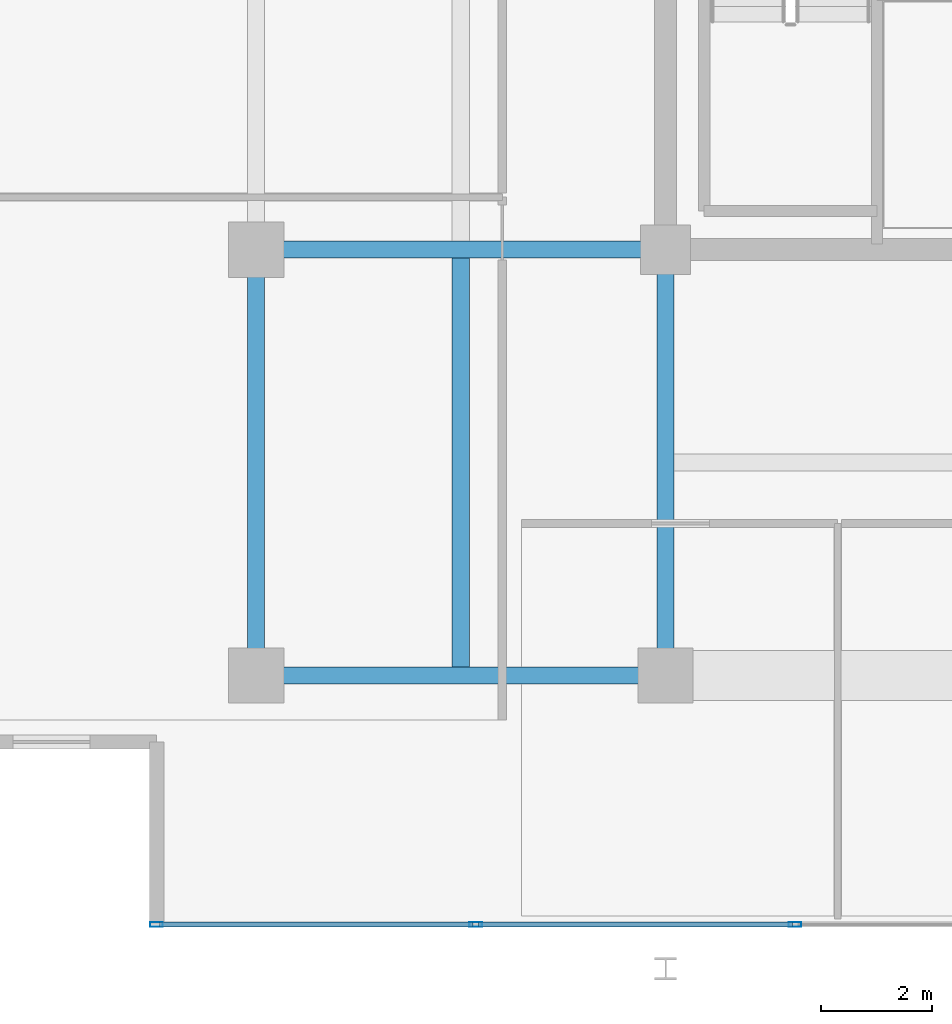
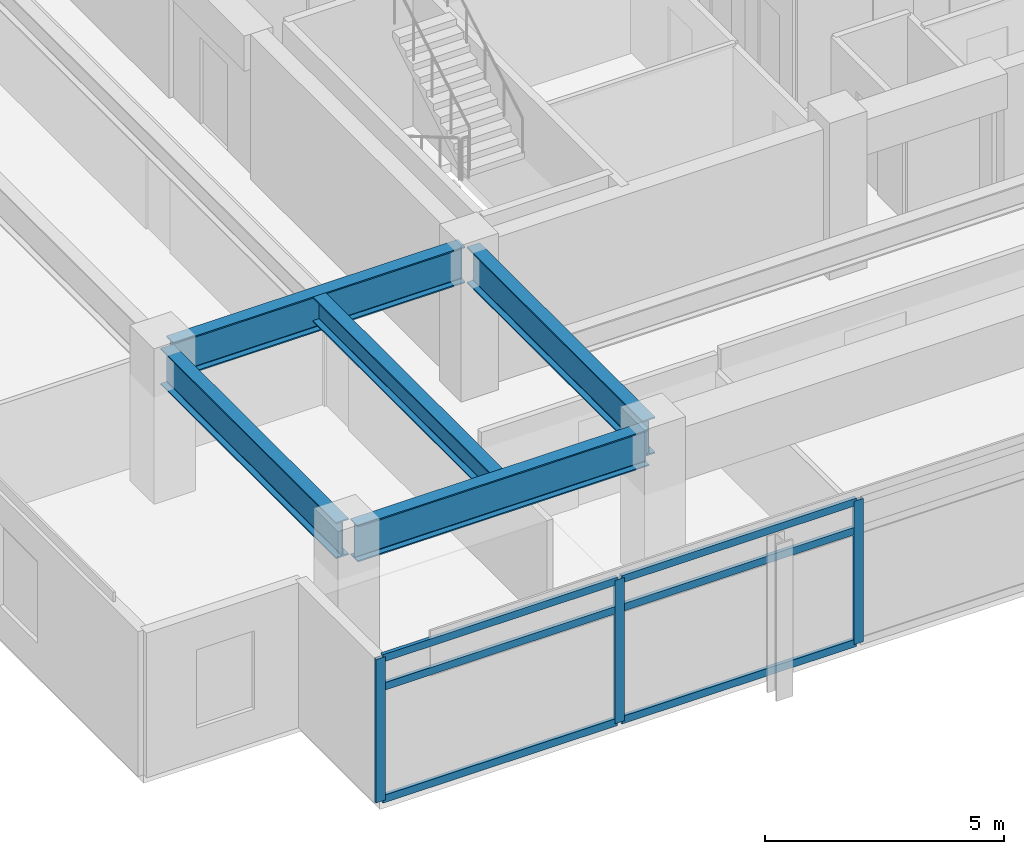
# One storey, part 2 of 18: 9 members, 5 beams, 1 element without a shape of its own.
"""IFC4 building model written with IfcOpenShell, lengths in metres."""

import ifcopenshell
import ifcopenshell.guid

model = None  # the IFC model being written
_history = None  # IfcOwnerHistory: only IFC2X3 demands one
_inside = {}  # id of a spatial element -> (the spatial element, [elements in it])
_under = {}  # id of a project, library or spatial element -> (it, [spatial elements below it])
_declared = {}  # id of a project -> (the project, [libraries it declares])
_typed = {}  # id of a type object -> (the type object, [elements of that type])
_made_of = {}  # id of a material, layer set ... -> (it, [elements and type objects made of it])


def new_model(schema):
    """Start an empty IFC model of exactly this schema.

    Asked for "IFC4X3", IfcOpenShell would pick the latest addendum, in which some entities
    have other attributes; the version numbers below select the first issue.
    IFC2X3 requires an IfcOwnerHistory on every rooted entity: one is made here for all.
    """
    global model, _history
    if schema == "IFC4X3":
        model = ifcopenshell.file(schema_version=(4, 3, 0, 0))
    else:
        model = ifcopenshell.file(schema=schema)
    _inside.clear()
    _under.clear()
    _declared.clear()
    _typed.clear()
    _made_of.clear()
    _history = None
    if model.schema == "IFC2X3":
        org = make("IfcOrganization", Name="unknown")
        user = make(
            "IfcPersonAndOrganization",
            ThePerson=make("IfcPerson", FamilyName="unknown"),
            TheOrganization=org,
        )
        app = make(
            "IfcApplication",
            ApplicationDeveloper=org,
            Version="unknown",
            ApplicationFullName="unknown",
            ApplicationIdentifier="unknown",
        )
        _history = make(
            "IfcOwnerHistory",
            OwningUser=user,
            OwningApplication=app,
            ChangeAction="ADDED",
            CreationDate=0,
        )
    return model


def make(cls, **values):
    """One entity of the class cls with the attributes given. An attribute that is None is left unset."""
    return model.create_entity(
        cls, **{name: value for name, value in values.items() if value is not None}
    )


def rooted(cls, **values):
    """An entity with a GlobalId (a new one), such as an element, a storey or a relation."""
    return make(cls, GlobalId=ifcopenshell.guid.new(), OwnerHistory=_history, **values)


def si_unit(unit_type, name, prefix=None):
    """IfcSIUnit, for example si_unit("LENGTHUNIT", "METRE", prefix="MILLI")."""
    return make("IfcSIUnit", UnitType=unit_type, Prefix=prefix, Name=name)


def assignment(units):
    """IfcUnitAssignment: the units of a project."""
    return None if units is None else make("IfcUnitAssignment", Units=units)


def point(xyz):
    """IfcCartesianPoint."""
    return None if xyz is None else make("IfcCartesianPoint", Coordinates=xyz)


def direction(xyz):
    """IfcDirection."""
    return None if xyz is None else make("IfcDirection", DirectionRatios=xyz)


def frame(location, z_axis=None, x_axis=None):
    """IfcAxis2Placement3D, a coordinate frame: its origin and axes. An axis left out is left unset."""
    return make(
        "IfcAxis2Placement3D",
        Location=point(location),
        Axis=direction(z_axis),
        RefDirection=direction(x_axis),
    )


def frame_2d(location, x_axis=None):
    """IfcAxis2Placement2D, a coordinate frame in the plane: its origin and x axis."""
    return make(
        "IfcAxis2Placement2D", Location=point(location), RefDirection=direction(x_axis)
    )


def origin():
    """The frame at (0, 0, 0) with its axes left unset."""
    return frame((0.0, 0.0, 0.0))


def origin_2d():
    """The frame at (0, 0) in the plane with its x axis left unset."""
    return frame_2d((0.0, 0.0))


def place(relative_to, where):
    """IfcLocalPlacement: puts the frame where relative to a parent placement (None: the world)."""
    return make(
        "IfcLocalPlacement", PlacementRelTo=relative_to, RelativePlacement=where
    )


def context(
    kind, dimensions, precision=None, world=None, true_north=None, identifier=None
):
    """IfcGeometricRepresentationContext, for example the 3D "Model" context."""
    return make(
        "IfcGeometricRepresentationContext",
        ContextIdentifier=identifier,
        ContextType=kind,
        CoordinateSpaceDimension=dimensions,
        Precision=precision,
        WorldCoordinateSystem=world,
        TrueNorth=true_north,
    )


def subcontext(parent, identifier, kind, view, scale=None):
    """IfcGeometricRepresentationSubContext, for example "Body" below "Model"."""
    return make(
        "IfcGeometricRepresentationSubContext",
        ContextIdentifier=identifier,
        ContextType=kind,
        ParentContext=parent,
        TargetScale=scale,
        TargetView=view,
    )


def project(units=None, contexts=None):
    """IfcProject with its units and contexts."""
    return rooted(
        "IfcProject",
        Name="project",
        RepresentationContexts=contexts,
        UnitsInContext=assignment(units),
    )


def spatial(cls, under=None, at=None, **own):
    """A site, building, storey or space (cls), placed at a placement, below another one or the project."""
    s = rooted(cls, ObjectPlacement=at, **own)
    if under is not None:
        _under.setdefault(under.id(), (under, []))[1].append(s)
    return s


def profile(cls, at=None, kind="AREA", **sizes):
    """A parametric profile (cls). Its sizes go by their IFC names, for example OverallWidth=200.0."""
    return make(cls, ProfileType=kind, Position=at, **sizes)


def hollow_rectangle(**sizes):
    """IfcRectangleHollowProfileDef."""
    return profile("IfcRectangleHollowProfileDef", **sizes)


def i_section(**sizes):
    """IfcIShapeProfileDef."""
    return profile("IfcIShapeProfileDef", **sizes)


def extrude(swept, where, along, depth):
    """IfcExtrudedAreaSolid: the profile swept, set in the frame where, extruded along a direction by depth."""
    return make(
        "IfcExtrudedAreaSolid",
        SweptArea=swept,
        Position=where,
        ExtrudedDirection=direction(along),
        Depth=depth,
    )


def shape(context_of_items, identifier, shape_type, items):
    """IfcShapeRepresentation: the items that make up one representation, for example the "Body"."""
    return make(
        "IfcShapeRepresentation",
        ContextOfItems=context_of_items,
        RepresentationIdentifier=identifier,
        RepresentationType=shape_type,
        Items=items,
    )


def material(Name=None, Category=None):
    """IfcMaterial."""
    return make("IfcMaterial", Name=Name, Category=Category)


def material_profile(
    of_material, cross_section, Name=None, Category=None, Priority=None
):
    """IfcMaterialProfile: a cross section and its material."""
    return make(
        "IfcMaterialProfile",
        Name=Name,
        Material=of_material,
        Profile=cross_section,
        Priority=Priority,
        Category=Category,
    )


def profile_set(profiles, Name=None, composite=None):
    """IfcMaterialProfileSet."""
    return make(
        "IfcMaterialProfileSet",
        Name=Name,
        MaterialProfiles=profiles,
        CompositeProfile=composite,
    )


def made_of(thing, what):
    """Note that an element or type object is made of a material, layer set ...; save() writes the relation."""
    if what is not None:
        _made_of.setdefault(what.id(), (what, []))[1].append(thing)
    return thing


def type_object(cls, material=None, **own):
    """A type object (cls), such as IfcWallType, which elements share."""
    return made_of(rooted(cls, **own), material)


def element(
    cls,
    number,
    at=None,
    inside=None,
    cuts=None,
    type_object=None,
    material=None,
    context=None,
    identifier="Body",
    shape_type=None,
    held_by="IfcProductDefinitionShape",
    body=None,
    shapes=None,
    **own,
):
    """One element of the class cls, such as IfcWall. Its Tag is "e" and its number.

    at: its placement. inside: the storey or other place that contains it. cuts: it is an
    opening in that element (IfcRelVoidsElement). A single representation is given by context,
    identifier, shape_type and body (its items); several are given by shapes. held_by: the class
    of the entity that holds the representations. save() writes the other relations.
    """
    e = rooted(cls, Tag="e%d" % number, ObjectPlacement=at, **own)
    if body is not None:
        shapes = [shape(context, identifier, shape_type, body)]
    if shapes is not None:
        e.Representation = make(held_by, Representations=shapes)
    if inside is not None:
        _inside.setdefault(inside.id(), (inside, []))[1].append(e)
    if cuts is not None:
        rooted(
            "IfcRelVoidsElement", RelatingBuildingElement=cuts, RelatedOpeningElement=e
        )
    if type_object is not None:
        _typed.setdefault(type_object.id(), (type_object, []))[1].append(e)
    return made_of(e, material)


def aggregate(whole, parts):
    """IfcRelAggregates: a whole, such as a stair, and the parts it consists of."""
    return rooted("IfcRelAggregates", RelatingObject=whole, RelatedObjects=parts)


def save(model, path):
    """Write the relations noted so far, then the file.

    IfcRelAggregates (storeys below a building ...), IfcRelContainedInSpatialStructure (elements
    in a storey), IfcRelDefinesByType, IfcRelAssociatesMaterial and IfcRelDeclares: one each for
    every whole, place, type object, material and project.
    """
    for whole, parts in _under.values():
        aggregate(whole, parts)
    for where, things in _inside.values():
        rooted(
            "IfcRelContainedInSpatialStructure",
            RelatedElements=things,
            RelatingStructure=where,
        )
    for kind, things in _typed.values():
        rooted("IfcRelDefinesByType", RelatedObjects=things, RelatingType=kind)
    for what, things in _made_of.values():
        rooted("IfcRelAssociatesMaterial", RelatedObjects=things, RelatingMaterial=what)
    for by, libraries in _declared.values():
        rooted("IfcRelDeclares", RelatingContext=by, RelatedDefinitions=libraries)
    model.write(path)


model = new_model("IFC4")

# Units and contexts
model_context = context("Model", 3, precision=1e-05, world=origin(), true_north=direction((0.0, 1.0)))
body_context = subcontext(model_context, "Body", "Model", "MODEL_VIEW")
ifc_project = project(units=[si_unit("LENGTHUNIT", "METRE"), si_unit("AREAUNIT", "SQUARE_METRE"), si_unit("VOLUMEUNIT", "CUBIC_METRE"), si_unit("PLANEANGLEUNIT", "RADIAN"), si_unit("MASSUNIT", "GRAM", prefix="KILO")], contexts=[model_context])

# Site, building, storey
site_placement = place(None, origin())
site = spatial("IfcSite", under=ifc_project, at=site_placement, CompositionType="ELEMENT")
building_placement = place(site_placement, origin())
building = spatial("IfcBuilding", under=site, at=building_placement, Name="Kovane Verandah Tower", CompositionType="ELEMENT")
storey_placement = place(building_placement, frame((0.0, 0.0, 338.800048828125)))
storey = spatial("IfcBuildingStorey", under=building, at=storey_placement, Name="L79", CompositionType="ELEMENT", Elevation=338.800048828125)

# Beams
ifc_material_1 = material(Name="Steel S460", Category="steel")
ifc_material_profile_1 = material_profile(ifc_material_1, i_section(OverallWidth=0.311279296875, OverallDepth=0.6357421875, WebThickness=0.018310546875, FlangeThickness=0.031494140625, FilletRadius=0.0166015625, at=origin_2d()), Name="UB610x305x238")
ifc_profile_set_1 = profile_set([ifc_material_profile_1], Name="Steel S460")
beam_type_1 = type_object("IfcBeamType", Name="BM-UB610x238", PredefinedType="BEAM", material=ifc_profile_set_1)
beam_1_placement = place(storey_placement, frame((25.300048828125, 10.951904296875, 3.382080078125), z_axis=(0.0, 1.0, 0.0), x_axis=(-1.0, 0.0, 0.0)))
element("IfcBeam", 1, at=beam_1_placement, inside=storey, type_object=beam_type_1, Name="L79 Secondary Composite Joist J-SW1", PredefinedType="BEAM", context=body_context, shape_type="SweptSolid", body=[
    extrude(i_section(OverallWidth=0.311279296875, OverallDepth=0.6357421875, WebThickness=0.018310546875, FlangeThickness=0.031494140625, FilletRadius=0.0166015625, at=origin_2d()), origin(), (0.0, 0.0, 1.0), 7.396240234375),
])
ifc_material_profile_2 = material_profile(ifc_material_1, i_section(OverallWidth=0.3076171875, OverallDepth=0.926513671875, WebThickness=0.01953125, FlangeThickness=0.031982421875, FilletRadius=0.01904296875, at=origin_2d()), Name="UB914x305x289")
ifc_profile_set_2 = profile_set([ifc_material_profile_2], Name="Steel S460")
beam_type_2 = type_object("IfcBeamType", Name="BM-UB914x289", PredefinedType="BEAM", material=ifc_profile_set_2)
beam_2_placement = place(storey_placement, frame((21.780029296875, 10.800048828125, 3.236572265625), z_axis=(1.0, 0.0, 0.0), x_axis=(0.0, 1.0, 0.0)))
element("IfcBeam", 2, at=beam_2_placement, inside=storey, type_object=beam_type_2, Name="L79 Primary Tower Girder G-RS1", PredefinedType="BEAM", context=body_context, shape_type="SweptSolid", body=[
    extrude(i_section(OverallWidth=0.3076171875, OverallDepth=0.926513671875, WebThickness=0.01953125, FlangeThickness=0.031982421875, FilletRadius=0.01904296875, at=origin_2d()), origin(), (0.0, 0.0, 1.0), 7.0400390625),
])
beam_3_placement = place(storey_placement, frame((21.60009765625, 10.97998046875, 3.236572265625), z_axis=(0.0, 1.0, 0.0), x_axis=(-1.0, 0.0, 0.0)))
element("IfcBeam", 3, at=beam_3_placement, inside=storey, type_object=beam_type_2, Name="L79 Primary Tower Girder G-RW1", PredefinedType="BEAM", context=body_context, shape_type="SweptSolid", body=[
    extrude(i_section(OverallWidth=0.3076171875, OverallDepth=0.926513671875, WebThickness=0.01953125, FlangeThickness=0.031982421875, FilletRadius=0.01904296875, at=origin_2d()), origin(), (0.0, 0.0, 1.0), 7.340087890625),
])
beam_4_placement = place(storey_placement, frame((28.820068359375, 18.5, 3.236572265625), z_axis=(-1.0, 0.0, 0.0), x_axis=(0.0, -1.0, 0.0)))
element("IfcBeam", 4, at=beam_4_placement, inside=storey, type_object=beam_type_2, Name="L79 Primary Tower Girder G-W1", PredefinedType="BEAM", context=body_context, shape_type="SweptSolid", body=[
    extrude(i_section(OverallWidth=0.3076171875, OverallDepth=0.926513671875, WebThickness=0.01953125, FlangeThickness=0.031982421875, FilletRadius=0.01904296875, at=origin_2d()), origin(), (0.0, 0.0, 1.0), 7.0400390625),
])
beam_5_placement = place(storey_placement, frame((29.0, 18.320068359375, 3.236572265625), z_axis=(0.0, -1.0, 0.0), x_axis=(1.0, 0.0, 0.0)))
element("IfcBeam", 5, at=beam_5_placement, inside=storey, type_object=beam_type_2, Name="L79 Primary Tower Girder G-S1", PredefinedType="BEAM", context=body_context, shape_type="SweptSolid", body=[
    extrude(i_section(OverallWidth=0.3076171875, OverallDepth=0.926513671875, WebThickness=0.01953125, FlangeThickness=0.031982421875, FilletRadius=0.01904296875, at=origin_2d()), origin(), (0.0, 0.0, 1.0), 7.340087890625),
])

# Curtain wall, members
ifc_material_2 = material(Name="Champagne Anodised Aluminium Frame with Low-E Clear Laminated Glass", Category="aluminium")
curtain_wall_type = type_object("IfcCurtainWallType", Name="CW-SYS-05-HIGH", PredefinedType="NOTDEFINED", material=ifc_material_2)
curtain_wall_placement = place(storey_placement, origin())
curtain_wall = element("IfcCurtainWall", 6, at=curtain_wall_placement, inside=storey, type_object=curtain_wall_type, Name="L79 S Unitised Curtain Wall", PredefinedType="NOTDEFINED")
ifc_material_3 = material(Name="Champagne Anodised Aluminium 6063-T6", Category="aluminium")
ifc_material_profile_3 = material_profile(ifc_material_3, hollow_rectangle(XDim=0.0849609375, YDim=0.22998046875, WallThickness=0.00390625, at=origin_2d()), Name="AL85x230x4")
ifc_profile_set_3 = profile_set([ifc_material_profile_3], Name="Champagne Anodised Aluminium 6063-T6")
member_type_1 = type_object("IfcMemberType", Name="CW-MUL-85x230", PredefinedType="MULLION", material=ifc_profile_set_3)
member_1_placement = place(storey_placement, frame((19.800048828125, 6.300048828125, 0.02001953125), z_axis=(0.0, 0.0, 1.0), x_axis=(0.0, -1.0, 0.0)))
member_1 = element("IfcMember", 7, at=member_1_placement, type_object=member_type_1, Name="L79 S Unitised Curtain Wall Mullion 1", PredefinedType="MULLION", context=body_context, shape_type="SweptSolid", body=[
    extrude(hollow_rectangle(XDim=0.0849609375, YDim=0.22998046875, WallThickness=0.00390625, at=origin_2d()), origin(), (0.0, 0.0, 1.0), 3.659912109375),
])
member_2_placement = place(storey_placement, frame((25.5712890625, 6.300048828125, 0.02001953125), z_axis=(0.0, 0.0, 1.0), x_axis=(0.0, -1.0, 0.0)))
member_2 = element("IfcMember", 8, at=member_2_placement, type_object=member_type_1, Name="L79 S Unitised Curtain Wall Mullion 2", PredefinedType="MULLION", context=body_context, shape_type="SweptSolid", body=[
    extrude(hollow_rectangle(XDim=0.0849609375, YDim=0.22998046875, WallThickness=0.00390625, at=origin_2d()), origin(), (0.0, 0.0, 1.0), 3.659912109375),
])
member_3_placement = place(storey_placement, frame((31.343017578125, 6.300048828125, 0.02001953125), z_axis=(0.0, 0.0, 1.0), x_axis=(0.0, -1.0, 0.0)))
member_3 = element("IfcMember", 9, at=member_3_placement, type_object=member_type_1, Name="L79 S Unitised Curtain Wall Mullion 3", PredefinedType="MULLION", context=body_context, shape_type="SweptSolid", body=[
    extrude(hollow_rectangle(XDim=0.0849609375, YDim=0.22998046875, WallThickness=0.00390625, at=origin_2d()), origin(), (0.0, 0.0, 1.0), 3.659912109375),
])
ifc_material_profile_4 = material_profile(ifc_material_3, hollow_rectangle(XDim=0.0849609375, YDim=0.18994140625, WallThickness=0.00390625, at=origin_2d()), Name="AL85x190x4")
ifc_profile_set_4 = profile_set([ifc_material_profile_4], Name="Champagne Anodised Aluminium 6063-T6")
member_type_2 = type_object("IfcMemberType", Name="CW-TRN-85x190", PredefinedType="USERDEFINED", material=ifc_profile_set_4)
member_4_placement = place(storey_placement, frame((19.85009765625, 6.300048828125, 0.050048828125), z_axis=(1.0, 0.0, 0.0), x_axis=(0.0, 1.0, 0.0)))
member_4 = element("IfcMember", 10, at=member_4_placement, type_object=member_type_2, Name="L79 S Unitised Curtain Wall Transom TB Bay 1", ObjectType="TRANSOM", PredefinedType="USERDEFINED", context=body_context, shape_type="SweptSolid", body=[
    extrude(hollow_rectangle(XDim=0.0849609375, YDim=0.18994140625, WallThickness=0.00390625, at=origin_2d()), origin(), (0.0, 0.0, 1.0), 5.67138671875),
])
member_5_placement = place(storey_placement, frame((19.85009765625, 6.300048828125, 2.919921875), z_axis=(1.0, 0.0, 0.0), x_axis=(0.0, 1.0, 0.0)))
member_5 = element("IfcMember", 11, at=member_5_placement, type_object=member_type_2, Name="L79 S Unitised Curtain Wall Transom TM Bay 1", ObjectType="TRANSOM", PredefinedType="USERDEFINED", context=body_context, shape_type="SweptSolid", body=[
    extrude(hollow_rectangle(XDim=0.0849609375, YDim=0.18994140625, WallThickness=0.00390625, at=origin_2d()), origin(), (0.0, 0.0, 1.0), 5.67138671875),
])
member_6_placement = place(storey_placement, frame((19.85009765625, 6.300048828125, 3.64990234375), z_axis=(1.0, 0.0, 0.0), x_axis=(0.0, 1.0, 0.0)))
member_6 = element("IfcMember", 12, at=member_6_placement, type_object=member_type_2, Name="L79 S Unitised Curtain Wall Transom TT Bay 1", ObjectType="TRANSOM", PredefinedType="USERDEFINED", context=body_context, shape_type="SweptSolid", body=[
    extrude(hollow_rectangle(XDim=0.0849609375, YDim=0.18994140625, WallThickness=0.00390625, at=origin_2d()), origin(), (0.0, 0.0, 1.0), 5.67138671875),
])
member_7_placement = place(storey_placement, frame((25.621337890625, 6.300048828125, 0.050048828125), z_axis=(1.0, 0.0, 0.0), x_axis=(0.0, 1.0, 0.0)))
member_7 = element("IfcMember", 13, at=member_7_placement, type_object=member_type_2, Name="L79 S Unitised Curtain Wall Transom TB Bay 2", ObjectType="TRANSOM", PredefinedType="USERDEFINED", context=body_context, shape_type="SweptSolid", body=[
    extrude(hollow_rectangle(XDim=0.0849609375, YDim=0.18994140625, WallThickness=0.00390625, at=origin_2d()), origin(), (0.0, 0.0, 1.0), 5.671630859375),
])
member_8_placement = place(storey_placement, frame((25.621337890625, 6.300048828125, 2.919921875), z_axis=(1.0, 0.0, 0.0), x_axis=(0.0, 1.0, 0.0)))
member_8 = element("IfcMember", 14, at=member_8_placement, type_object=member_type_2, Name="L79 S Unitised Curtain Wall Transom TM Bay 2", ObjectType="TRANSOM", PredefinedType="USERDEFINED", context=body_context, shape_type="SweptSolid", body=[
    extrude(hollow_rectangle(XDim=0.0849609375, YDim=0.18994140625, WallThickness=0.00390625, at=origin_2d()), origin(), (0.0, 0.0, 1.0), 5.671630859375),
])
member_9_placement = place(storey_placement, frame((25.621337890625, 6.300048828125, 3.64990234375), z_axis=(1.0, 0.0, 0.0), x_axis=(0.0, 1.0, 0.0)))
member_9 = element("IfcMember", 15, at=member_9_placement, type_object=member_type_2, Name="L79 S Unitised Curtain Wall Transom TT Bay 2", ObjectType="TRANSOM", PredefinedType="USERDEFINED", context=body_context, shape_type="SweptSolid", body=[
    extrude(hollow_rectangle(XDim=0.0849609375, YDim=0.18994140625, WallThickness=0.00390625, at=origin_2d()), origin(), (0.0, 0.0, 1.0), 5.671630859375),
])
aggregate(curtain_wall, [member_1, member_2, member_3, member_4, member_5, member_6, member_7, member_8, member_9])

save(model, "model.ifc")
